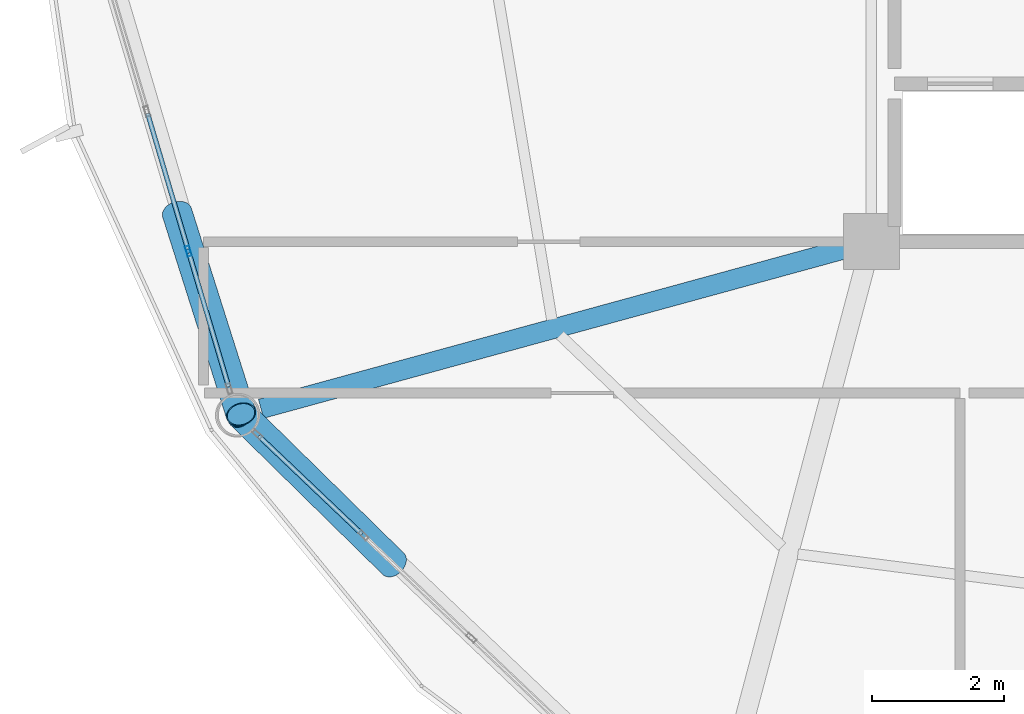
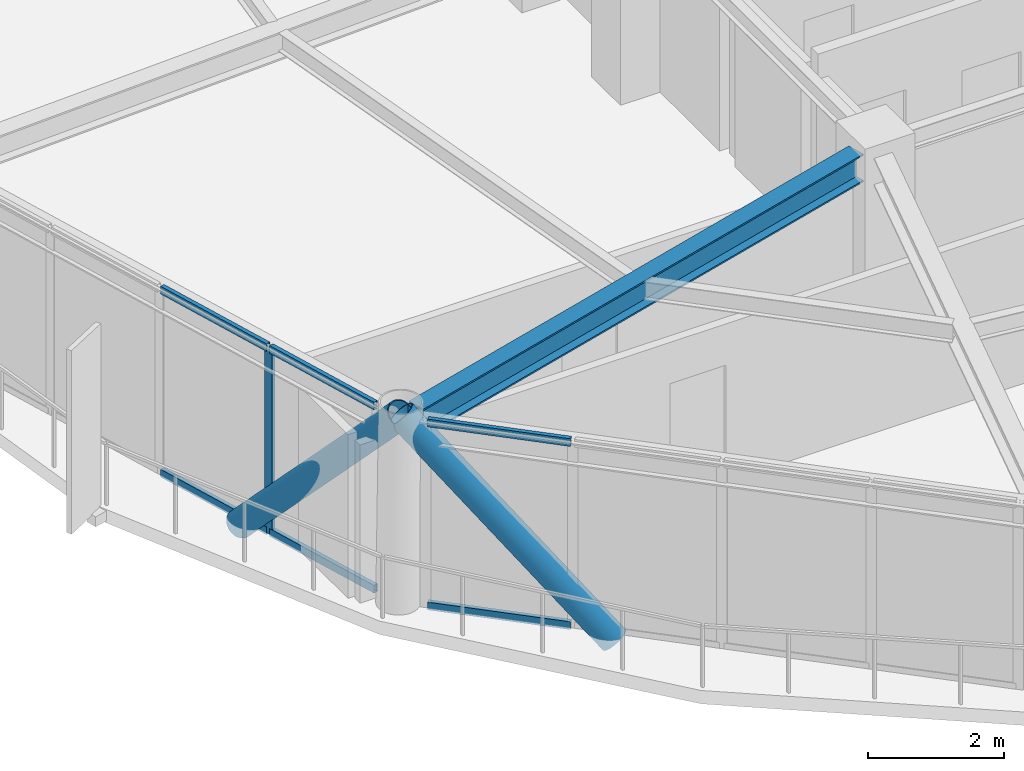
# One storey, part 5 of 29: 9 members, 1 beam, 2 elements without a shape of their own.
"""IFC4 building model written with IfcOpenShell, lengths in metres."""

import ifcopenshell
import ifcopenshell.guid

model = None  # the IFC model being written
_history = None  # IfcOwnerHistory: only IFC2X3 demands one
_inside = {}  # id of a spatial element -> (the spatial element, [elements in it])
_under = {}  # id of a project, library or spatial element -> (it, [spatial elements below it])
_declared = {}  # id of a project -> (the project, [libraries it declares])
_typed = {}  # id of a type object -> (the type object, [elements of that type])
_made_of = {}  # id of a material, layer set ... -> (it, [elements and type objects made of it])


def new_model(schema):
    """Start an empty IFC model of exactly this schema.

    Asked for "IFC4X3", IfcOpenShell would pick the latest addendum, in which some entities
    have other attributes; the version numbers below select the first issue.
    IFC2X3 requires an IfcOwnerHistory on every rooted entity: one is made here for all.
    """
    global model, _history
    if schema == "IFC4X3":
        model = ifcopenshell.file(schema_version=(4, 3, 0, 0))
    else:
        model = ifcopenshell.file(schema=schema)
    _inside.clear()
    _under.clear()
    _declared.clear()
    _typed.clear()
    _made_of.clear()
    _history = None
    if model.schema == "IFC2X3":
        org = make("IfcOrganization", Name="unknown")
        user = make(
            "IfcPersonAndOrganization",
            ThePerson=make("IfcPerson", FamilyName="unknown"),
            TheOrganization=org,
        )
        app = make(
            "IfcApplication",
            ApplicationDeveloper=org,
            Version="unknown",
            ApplicationFullName="unknown",
            ApplicationIdentifier="unknown",
        )
        _history = make(
            "IfcOwnerHistory",
            OwningUser=user,
            OwningApplication=app,
            ChangeAction="ADDED",
            CreationDate=0,
        )
    return model


def make(cls, **values):
    """One entity of the class cls with the attributes given. An attribute that is None is left unset."""
    return model.create_entity(
        cls, **{name: value for name, value in values.items() if value is not None}
    )


def rooted(cls, **values):
    """An entity with a GlobalId (a new one), such as an element, a storey or a relation."""
    return make(cls, GlobalId=ifcopenshell.guid.new(), OwnerHistory=_history, **values)


def si_unit(unit_type, name, prefix=None):
    """IfcSIUnit, for example si_unit("LENGTHUNIT", "METRE", prefix="MILLI")."""
    return make("IfcSIUnit", UnitType=unit_type, Prefix=prefix, Name=name)


def assignment(units):
    """IfcUnitAssignment: the units of a project."""
    return None if units is None else make("IfcUnitAssignment", Units=units)


def point(xyz):
    """IfcCartesianPoint."""
    return None if xyz is None else make("IfcCartesianPoint", Coordinates=xyz)


def direction(xyz):
    """IfcDirection."""
    return None if xyz is None else make("IfcDirection", DirectionRatios=xyz)


def frame(location, z_axis=None, x_axis=None):
    """IfcAxis2Placement3D, a coordinate frame: its origin and axes. An axis left out is left unset."""
    return make(
        "IfcAxis2Placement3D",
        Location=point(location),
        Axis=direction(z_axis),
        RefDirection=direction(x_axis),
    )


def frame_2d(location, x_axis=None):
    """IfcAxis2Placement2D, a coordinate frame in the plane: its origin and x axis."""
    return make(
        "IfcAxis2Placement2D", Location=point(location), RefDirection=direction(x_axis)
    )


def origin():
    """The frame at (0, 0, 0) with its axes left unset."""
    return frame((0.0, 0.0, 0.0))


def origin_2d():
    """The frame at (0, 0) in the plane with its x axis left unset."""
    return frame_2d((0.0, 0.0))


def place(relative_to, where):
    """IfcLocalPlacement: puts the frame where relative to a parent placement (None: the world)."""
    return make(
        "IfcLocalPlacement", PlacementRelTo=relative_to, RelativePlacement=where
    )


def context(
    kind, dimensions, precision=None, world=None, true_north=None, identifier=None
):
    """IfcGeometricRepresentationContext, for example the 3D "Model" context."""
    return make(
        "IfcGeometricRepresentationContext",
        ContextIdentifier=identifier,
        ContextType=kind,
        CoordinateSpaceDimension=dimensions,
        Precision=precision,
        WorldCoordinateSystem=world,
        TrueNorth=true_north,
    )


def subcontext(parent, identifier, kind, view, scale=None):
    """IfcGeometricRepresentationSubContext, for example "Body" below "Model"."""
    return make(
        "IfcGeometricRepresentationSubContext",
        ContextIdentifier=identifier,
        ContextType=kind,
        ParentContext=parent,
        TargetScale=scale,
        TargetView=view,
    )


def project(units=None, contexts=None):
    """IfcProject with its units and contexts."""
    return rooted(
        "IfcProject",
        Name="project",
        RepresentationContexts=contexts,
        UnitsInContext=assignment(units),
    )


def spatial(cls, under=None, at=None, **own):
    """A site, building, storey or space (cls), placed at a placement, below another one or the project."""
    s = rooted(cls, ObjectPlacement=at, **own)
    if under is not None:
        _under.setdefault(under.id(), (under, []))[1].append(s)
    return s


def profile(cls, at=None, kind="AREA", **sizes):
    """A parametric profile (cls). Its sizes go by their IFC names, for example OverallWidth=200.0."""
    return make(cls, ProfileType=kind, Position=at, **sizes)


def hollow_rectangle(**sizes):
    """IfcRectangleHollowProfileDef."""
    return profile("IfcRectangleHollowProfileDef", **sizes)


def hollow_circle(**sizes):
    """IfcCircleHollowProfileDef."""
    return profile("IfcCircleHollowProfileDef", **sizes)


def i_section(**sizes):
    """IfcIShapeProfileDef."""
    return profile("IfcIShapeProfileDef", **sizes)


def extrude(swept, where, along, depth):
    """IfcExtrudedAreaSolid: the profile swept, set in the frame where, extruded along a direction by depth."""
    return make(
        "IfcExtrudedAreaSolid",
        SweptArea=swept,
        Position=where,
        ExtrudedDirection=direction(along),
        Depth=depth,
    )


def shape(context_of_items, identifier, shape_type, items):
    """IfcShapeRepresentation: the items that make up one representation, for example the "Body"."""
    return make(
        "IfcShapeRepresentation",
        ContextOfItems=context_of_items,
        RepresentationIdentifier=identifier,
        RepresentationType=shape_type,
        Items=items,
    )


def material(Name=None, Category=None):
    """IfcMaterial."""
    return make("IfcMaterial", Name=Name, Category=Category)


def layer(
    of_material, thickness, ventilated=None, Name=None, Category=None, Priority=None
):
    """IfcMaterialLayer: one layer of a wall or slab, of a material (None: an air gap)."""
    return make(
        "IfcMaterialLayer",
        Material=of_material,
        LayerThickness=thickness,
        IsVentilated=ventilated,
        Name=Name,
        Category=Category,
        Priority=Priority,
    )


def layer_set(layers, Name=None):
    """IfcMaterialLayerSet."""
    return make("IfcMaterialLayerSet", MaterialLayers=layers, LayerSetName=Name)


def material_profile(
    of_material, cross_section, Name=None, Category=None, Priority=None
):
    """IfcMaterialProfile: a cross section and its material."""
    return make(
        "IfcMaterialProfile",
        Name=Name,
        Material=of_material,
        Profile=cross_section,
        Priority=Priority,
        Category=Category,
    )


def profile_set(profiles, Name=None, composite=None):
    """IfcMaterialProfileSet."""
    return make(
        "IfcMaterialProfileSet",
        Name=Name,
        MaterialProfiles=profiles,
        CompositeProfile=composite,
    )


def made_of(thing, what):
    """Note that an element or type object is made of a material, layer set ...; save() writes the relation."""
    if what is not None:
        _made_of.setdefault(what.id(), (what, []))[1].append(thing)
    return thing


def type_object(cls, material=None, **own):
    """A type object (cls), such as IfcWallType, which elements share."""
    return made_of(rooted(cls, **own), material)


def element(
    cls,
    number,
    at=None,
    inside=None,
    cuts=None,
    type_object=None,
    material=None,
    context=None,
    identifier="Body",
    shape_type=None,
    held_by="IfcProductDefinitionShape",
    body=None,
    shapes=None,
    **own,
):
    """One element of the class cls, such as IfcWall. Its Tag is "e" and its number.

    at: its placement. inside: the storey or other place that contains it. cuts: it is an
    opening in that element (IfcRelVoidsElement). A single representation is given by context,
    identifier, shape_type and body (its items); several are given by shapes. held_by: the class
    of the entity that holds the representations. save() writes the other relations.
    """
    e = rooted(cls, Tag="e%d" % number, ObjectPlacement=at, **own)
    if body is not None:
        shapes = [shape(context, identifier, shape_type, body)]
    if shapes is not None:
        e.Representation = make(held_by, Representations=shapes)
    if inside is not None:
        _inside.setdefault(inside.id(), (inside, []))[1].append(e)
    if cuts is not None:
        rooted(
            "IfcRelVoidsElement", RelatingBuildingElement=cuts, RelatedOpeningElement=e
        )
    if type_object is not None:
        _typed.setdefault(type_object.id(), (type_object, []))[1].append(e)
    return made_of(e, material)


def aggregate(whole, parts):
    """IfcRelAggregates: a whole, such as a stair, and the parts it consists of."""
    return rooted("IfcRelAggregates", RelatingObject=whole, RelatedObjects=parts)


def save(model, path):
    """Write the relations noted so far, then the file.

    IfcRelAggregates (storeys below a building ...), IfcRelContainedInSpatialStructure (elements
    in a storey), IfcRelDefinesByType, IfcRelAssociatesMaterial and IfcRelDeclares: one each for
    every whole, place, type object, material and project.
    """
    for whole, parts in _under.values():
        aggregate(whole, parts)
    for where, things in _inside.values():
        rooted(
            "IfcRelContainedInSpatialStructure",
            RelatedElements=things,
            RelatingStructure=where,
        )
    for kind, things in _typed.values():
        rooted("IfcRelDefinesByType", RelatedObjects=things, RelatingType=kind)
    for what, things in _made_of.values():
        rooted("IfcRelAssociatesMaterial", RelatedObjects=things, RelatingMaterial=what)
    for by, libraries in _declared.values():
        rooted("IfcRelDeclares", RelatingContext=by, RelatedDefinitions=libraries)
    model.write(path)


model = new_model("IFC4")

# Units and contexts
model_context = context("Model", 3, precision=1e-05, world=origin(), true_north=direction((0.0, 1.0)))
body_context = subcontext(model_context, "Body", "Model", "MODEL_VIEW")
ifc_project = project(units=[si_unit("LENGTHUNIT", "METRE"), si_unit("AREAUNIT", "SQUARE_METRE"), si_unit("VOLUMEUNIT", "CUBIC_METRE"), si_unit("PLANEANGLEUNIT", "RADIAN"), si_unit("MASSUNIT", "GRAM", prefix="KILO")], contexts=[model_context])

# Site, building, storey
site_placement = place(None, origin())
site = spatial("IfcSite", under=ifc_project, at=site_placement, CompositionType="ELEMENT")
building_placement = place(site_placement, origin())
building = spatial("IfcBuilding", under=site, at=building_placement, Name="Varnakorn Sky Granary", CompositionType="ELEMENT")
storey_placement = place(building_placement, frame((0.0, 0.0, 189.60009765625)))
storey = spatial("IfcBuildingStorey", under=building, at=storey_placement, Name="L47", CompositionType="ELEMENT", Elevation=189.60009765625)

# Beam
ifc_material_1 = material(Name="Steel S355JR", Category="steel")
ifc_material_profile_1 = material_profile(ifc_material_1, i_section(OverallWidth=0.300048828125, OverallDepth=0.5, WebThickness=0.014404296875, FlangeThickness=0.028076171875, at=origin_2d()), Name="HE 500 B")
ifc_profile_set_1 = profile_set([ifc_material_profile_1], Name="Steel S355JR")
beam_type = type_object("IfcBeamType", Name="BM-RAD-Z4", PredefinedType="BEAM", material=ifc_profile_set_1)
beam_placement = place(storey_placement, frame((-2.740478515625, -6.70703125, 3.10986328125), z_axis=(-0.964502216971, -0.264074749756, 0.0), x_axis=(0.264074749756, -0.964502216971, 0.0)))
element("IfcBeam", 1, at=beam_placement, inside=storey, type_object=beam_type, Name="Radial Floor Girder RG08 L47", PredefinedType="BEAM", context=body_context, shape_type="SweptSolid", body=[
    extrude(i_section(OverallWidth=0.300048828125, OverallDepth=0.5, WebThickness=0.014404296875, FlangeThickness=0.028076171875, at=origin_2d()), origin(), (0.0, 0.0, 1.0), 9.212890625),
])

# Curtain wall, members
ifc_material_2 = material(Name="Anodised Bronze Aluminium Alloy 6063-T6", Category="aluminium")
ifc_layer = layer(ifc_material_2, 0.169921875, Name="Anodised Bronze Aluminium Alloy 6063-T6")
ifc_layer_set = layer_set([ifc_layer], Name="Anodised Bronze Aluminium Alloy 6063-T6")
curtain_wall_type = type_object("IfcCurtainWallType", Name="CW-LAB-1", PredefinedType="USERDEFINED", material=ifc_layer_set)
curtain_wall_1_placement = place(storey_placement, origin())
curtain_wall_1 = element("IfcCurtainWall", 2, at=curtain_wall_1_placement, inside=storey, type_object=curtain_wall_type, Name="Unitised Curtain Wall CW5 CW-L47-B07", ObjectType="CURTAIN WALL", PredefinedType="USERDEFINED")
ifc_material_profile_2 = material_profile(ifc_material_2, hollow_rectangle(XDim=0.06494140625, YDim=0.159912109375, WallThickness=0.00341796875, at=origin_2d()), Name="ALU MULL 65x160")
ifc_profile_set_2 = profile_set([ifc_material_profile_2], Name="Anodised Bronze Aluminium Alloy 6063-T6")
member_type_1 = type_object("IfcMemberType", Name="CW-LAB-1-MULL", PredefinedType="MULLION", material=ifc_profile_set_2)
member_1_placement = place(storey_placement, frame((-12.7294921875, -6.7431640625, 0.0), z_axis=(0.0, 0.0, 1.0), x_axis=(-0.958736816121, -0.284295123796, 0.0)))
member_1 = element("IfcMember", 3, at=member_1_placement, type_object=member_type_1, Name="CW5 mullion 2", PredefinedType="MULLION", context=body_context, shape_type="SweptSolid", body=[
    extrude(hollow_rectangle(XDim=0.06494140625, YDim=0.159912109375, WallThickness=0.00341796875, at=origin_2d()), origin(), (0.0, 0.0, 1.0), 3.35986328125),
])
ifc_material_profile_3 = material_profile(ifc_material_2, hollow_rectangle(XDim=0.070068359375, YDim=0.139892578125, WallThickness=0.00341796875, at=origin_2d()), Name="ALU TRAN 70x140")
ifc_profile_set_3 = profile_set([ifc_material_profile_3], Name="Anodised Bronze Aluminium Alloy 6063-T6")
member_type_2 = type_object("IfcMemberType", Name="CW-LAB-1-TRAN", PredefinedType="USERDEFINED", material=ifc_profile_set_3)
member_2_placement = place(storey_placement, frame((-12.118408203125, -8.8037109375, 0.034912109375), z_axis=(-0.284288587665, 0.958738754262, 0.0), x_axis=(-0.958738754262, -0.284288587665, 0.0)))
member_2 = element("IfcMember", 4, at=member_2_placement, type_object=member_type_2, Name="CW5 transom 1.1", ObjectType="TRANSOM", PredefinedType="USERDEFINED", context=body_context, shape_type="SweptSolid", body=[
    extrude(hollow_rectangle(XDim=0.070068359375, YDim=0.139892578125, WallThickness=0.00341796875, at=origin_2d()), origin(), (0.0, 0.0, 1.0), 2.116943359375),
])
member_3_placement = place(storey_placement, frame((-12.118408203125, -8.8037109375, 3.324951171875), z_axis=(-0.284288587665, 0.958738754262, 0.0), x_axis=(-0.958738754262, -0.284288587665, 0.0)))
member_3 = element("IfcMember", 5, at=member_3_placement, type_object=member_type_2, Name="CW5 transom 1.2", ObjectType="TRANSOM", PredefinedType="USERDEFINED", context=body_context, shape_type="SweptSolid", body=[
    extrude(hollow_rectangle(XDim=0.070068359375, YDim=0.139892578125, WallThickness=0.00341796875, at=origin_2d()), origin(), (0.0, 0.0, 1.0), 2.116943359375),
])
member_4_placement = place(storey_placement, frame((-12.73876953125, -6.7119140625, 0.034912109375), z_axis=(-0.284293284657, 0.958737361481, 0.0), x_axis=(-0.958737361481, -0.284293284657, 0.0)))
member_4 = element("IfcMember", 6, at=member_4_placement, type_object=member_type_2, Name="CW5 transom 2.1", ObjectType="TRANSOM", PredefinedType="USERDEFINED", context=body_context, shape_type="SweptSolid", body=[
    extrude(hollow_rectangle(XDim=0.070068359375, YDim=0.139892578125, WallThickness=0.00341796875, at=origin_2d()), origin(), (0.0, 0.0, 1.0), 2.1494140625),
])
member_5_placement = place(storey_placement, frame((-12.73876953125, -6.7119140625, 3.324951171875), z_axis=(-0.284293284657, 0.958737361481, 0.0), x_axis=(-0.958737361481, -0.284293284657, 0.0)))
member_5 = element("IfcMember", 7, at=member_5_placement, type_object=member_type_2, Name="CW5 transom 2.2", ObjectType="TRANSOM", PredefinedType="USERDEFINED", context=body_context, shape_type="SweptSolid", body=[
    extrude(hollow_rectangle(XDim=0.070068359375, YDim=0.139892578125, WallThickness=0.00341796875, at=origin_2d()), origin(), (0.0, 0.0, 1.0), 2.1494140625),
])
aggregate(curtain_wall_1, [member_1, member_2, member_3, member_4, member_5])

curtain_wall_2_placement = place(storey_placement, origin())
curtain_wall_2 = element("IfcCurtainWall", 8, at=curtain_wall_2_placement, inside=storey, type_object=curtain_wall_type, Name="Unitised Curtain Wall CW5 CW-L47-B08", ObjectType="CURTAIN WALL", PredefinedType="USERDEFINED")
member_6_placement = place(storey_placement, frame((-10.092041015625, -11.04296875, 0.034912109375), z_axis=(-0.72483307441, 0.688924534503, 0.0), x_axis=(-0.688924534503, -0.72483307441, 0.0)))
member_6 = element("IfcMember", 9, at=member_6_placement, type_object=member_type_2, Name="CW5 transom 4.1", ObjectType="TRANSOM", PredefinedType="USERDEFINED", context=body_context, shape_type="SweptSolid", body=[
    extrude(hollow_rectangle(XDim=0.070068359375, YDim=0.139892578125, WallThickness=0.00341796875, at=origin_2d()), origin(), (0.0, 0.0, 1.0), 2.162109375),
])
member_7_placement = place(storey_placement, frame((-10.092041015625, -11.04296875, 3.324951171875), z_axis=(-0.72483307441, 0.688924534503, 0.0), x_axis=(-0.688924534503, -0.72483307441, 0.0)))
member_7 = element("IfcMember", 10, at=member_7_placement, type_object=member_type_2, Name="CW5 transom 4.2", ObjectType="TRANSOM", PredefinedType="USERDEFINED", context=body_context, shape_type="SweptSolid", body=[
    extrude(hollow_rectangle(XDim=0.070068359375, YDim=0.139892578125, WallThickness=0.00341796875, at=origin_2d()), origin(), (0.0, 0.0, 1.0), 2.162109375),
])
aggregate(curtain_wall_2, [member_6, member_7])

# Members
ifc_material_3 = material(Name="Steel S460M", Category="steel")
ifc_material_profile_4 = material_profile(ifc_material_3, hollow_circle(Radius=0.228515625, WallThickness=0.01611328125, at=origin_2d()), Name="CHS 457x16")
ifc_profile_set_4 = profile_set([ifc_material_profile_4], Name="Steel S460M")
member_type_3 = type_object("IfcMemberType", Name="MB-DIAG-T3", PredefinedType="BRACE", material=ifc_profile_set_4)
member_8_placement = place(storey_placement, frame((-12.90234375, -6.159912109375, -0.130126953125), z_axis=(0.204918949168, -0.645633635425, 0.735639472214), x_axis=(0.953143045262, 0.302519974991, 0.0)))
element("IfcMember", 11, at=member_8_placement, inside=storey, type_object=member_type_3, Name="Perimeter CHS Diagrid Brace DG07 L47", PredefinedType="BRACE", context=body_context, shape_type="SweptSolid", body=[
    extrude(hollow_circle(Radius=0.228515625, WallThickness=0.01611328125, at=origin_2d()), origin(), (0.0, 0.0, 1.0), 4.744140625),
])
member_9_placement = place(storey_placement, frame((-9.61669921875, -11.49462890625, -0.130126953125), z_axis=(-0.485645722282, 0.476881959248, 0.732619839598), x_axis=(-0.700639570856, -0.713515375973, 0.0)))
element("IfcMember", 12, at=member_9_placement, inside=storey, type_object=member_type_3, Name="Perimeter CHS Diagrid Brace DG08 L47", PredefinedType="BRACE", context=body_context, shape_type="SweptSolid", body=[
    extrude(hollow_circle(Radius=0.228515625, WallThickness=0.01611328125, at=origin_2d()), origin(), (0.0, 0.0, 1.0), 4.763671875),
])

save(model, "model.ifc")
